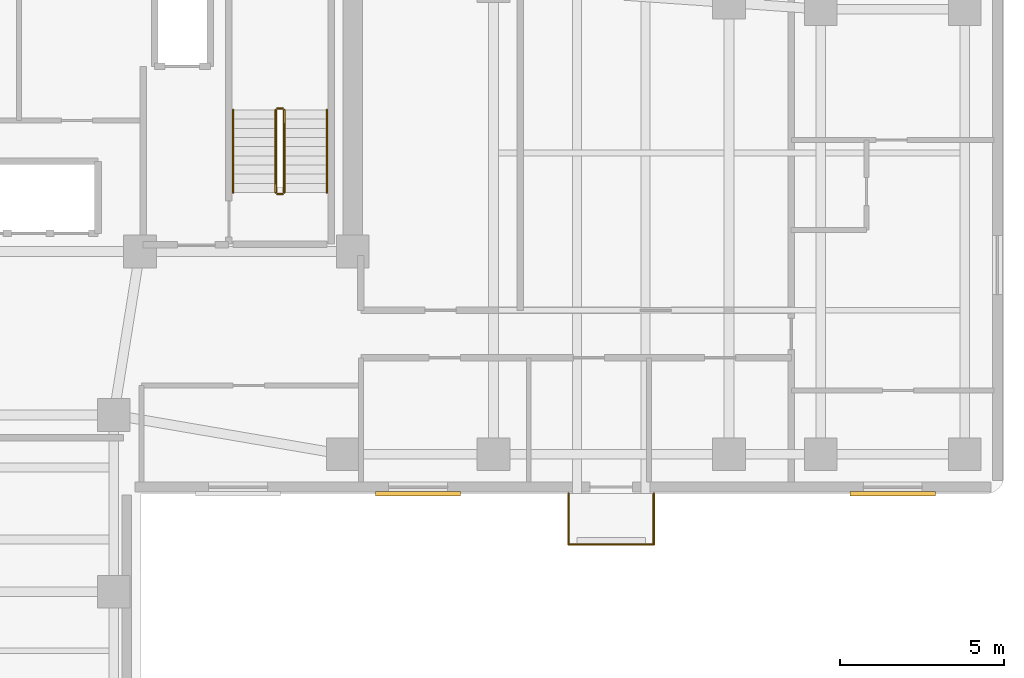
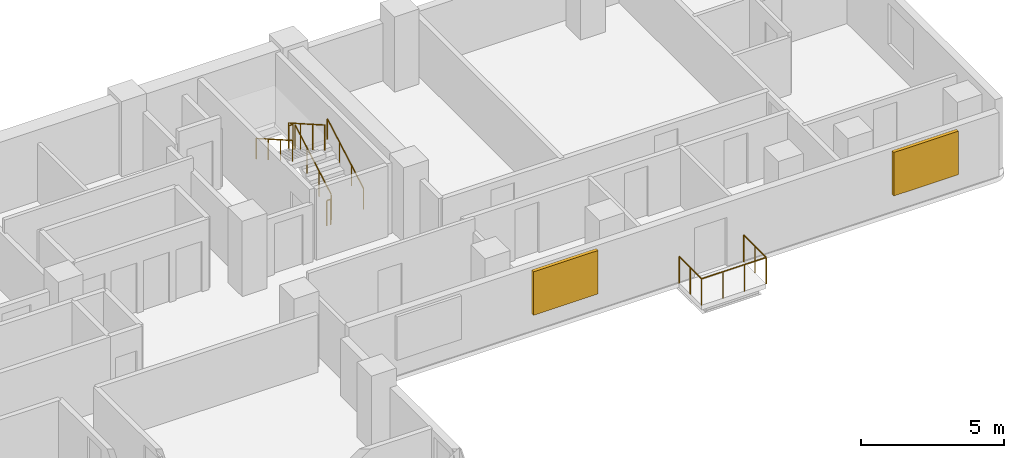
# One storey, part 7 of 7: 9 railings, 2 shading devices.
"""IFC4 building model written with IfcOpenShell, lengths in metres."""

from ifc_helpers import new_model, si_unit, direction, frame, origin, origin_2d, place, context, subcontext, project, spatial, rectangle, circle, extrude, material, layer, layer_set, type_object, element, save


model = new_model("IFC4")

# Units and contexts
model_context = context("Model", 3, precision=1e-05, world=origin(), true_north=direction((0.0, 1.0)))
body_context = subcontext(model_context, "Body", "Model", "MODEL_VIEW")
ifc_project = project(units=[si_unit("LENGTHUNIT", "METRE"), si_unit("AREAUNIT", "SQUARE_METRE"), si_unit("VOLUMEUNIT", "CUBIC_METRE"), si_unit("PLANEANGLEUNIT", "RADIAN"), si_unit("MASSUNIT", "GRAM", prefix="KILO")], contexts=[model_context])

# Site, building, storey
site_placement = place(None, origin())
site = spatial("IfcSite", under=ifc_project, at=site_placement, CompositionType="ELEMENT")
building_placement = place(site_placement, origin())
building = spatial("IfcBuilding", under=site, at=building_placement, Name="Kuzgunbayir Cultural Tower", CompositionType="ELEMENT")
storey_placement = place(building_placement, frame((0.0, 0.0, 129.800048828125)))
storey = spatial("IfcBuildingStorey", under=building, at=storey_placement, Name="L37", CompositionType="ELEMENT", Elevation=129.800048828125)

# Railings
ifc_material_1 = material(Name="Laminated Glass and Stainless Steel", Category="steel")
ifc_layer_1 = layer(ifc_material_1, 0.080078125)
ifc_layer_set_1 = layer_set([ifc_layer_1], Name="Laminated Glass and Stainless Steel")
railing_type_1 = type_object("IfcRailingType", Name="RLG-BAL-115", PredefinedType="BALUSTRADE", material=ifc_layer_set_1)
railing_1_placement = place(storey_placement, frame((33.5, 26.39990234375, 0.0)))
element("IfcRailing", 1, at=railing_1_placement, inside=storey, type_object=railing_type_1, Name="L37 Balcony Guard BAL-L37-WB2 Segment 1", PredefinedType="BALUSTRADE", context=body_context, shape_type="SweptSolid", body=[
    extrude(circle(Radius=0.02392578125, at=origin_2d()), frame((0.0, 0.0, 1.1259765625), z_axis=(0.0, -1.0, 0.0), x_axis=(1.0, 0.0, 0.0)), (0.0, 0.0, 1.0), 1.559814453125),
    extrude(circle(Radius=0.02099609375, at=origin_2d()), origin(), (0.0, 0.0, 1.0), 1.101806640625),
    extrude(circle(Radius=0.02099609375, at=origin_2d()), frame((0.0, -0.77978515625, 0.0)), (0.0, 0.0, 1.0), 1.101806640625),
    extrude(circle(Radius=0.02099609375, at=origin_2d()), frame((0.0, -1.559814453125, 0.0)), (0.0, 0.0, 1.0), 1.101806640625),
])
railing_2_placement = place(storey_placement, frame((33.5, 24.840087890625, 0.0)))
element("IfcRailing", 2, at=railing_2_placement, inside=storey, type_object=railing_type_1, Name="L37 Balcony Guard BAL-L37-WB2 Segment 2", PredefinedType="BALUSTRADE", context=body_context, shape_type="SweptSolid", body=[
    extrude(circle(Radius=0.02392578125, at=origin_2d()), frame((0.0, 0.0, 1.1259765625), z_axis=(1.0, 0.0, 0.0), x_axis=(0.0, 1.0, 0.0)), (0.0, 0.0, 1.0), 2.60009765625),
    extrude(circle(Radius=0.02099609375, at=origin_2d()), origin(), (0.0, 0.0, 1.0), 1.101806640625),
    extrude(circle(Radius=0.02099609375, at=origin_2d()), frame((0.86669921875, 0.0, 0.0)), (0.0, 0.0, 1.0), 1.101806640625),
    extrude(circle(Radius=0.02099609375, at=origin_2d()), frame((1.7333984375, 0.0, 0.0)), (0.0, 0.0, 1.0), 1.101806640625),
    extrude(circle(Radius=0.02099609375, at=origin_2d()), frame((2.60009765625, 0.0, 0.0)), (0.0, 0.0, 1.0), 1.101806640625),
])
railing_3_placement = place(storey_placement, frame((36.10009765625, 24.840087890625, 0.0)))
element("IfcRailing", 3, at=railing_3_placement, inside=storey, type_object=railing_type_1, Name="L37 Balcony Guard BAL-L37-WB2 Segment 3", PredefinedType="BALUSTRADE", context=body_context, shape_type="SweptSolid", body=[
    extrude(circle(Radius=0.02392578125, at=origin_2d()), frame((0.0, 0.0, 1.1259765625), z_axis=(0.0, 1.0, 0.0), x_axis=(-1.0, 0.0, 0.0)), (0.0, 0.0, 1.0), 1.559814453125),
    extrude(circle(Radius=0.02099609375, at=origin_2d()), origin(), (0.0, 0.0, 1.0), 1.101806640625),
    extrude(circle(Radius=0.02099609375, at=origin_2d()), frame((0.0, 0.77978515625, 0.0)), (0.0, 0.0, 1.0), 1.101806640625),
    extrude(circle(Radius=0.02099609375, at=origin_2d()), frame((0.0, 1.559814453125, 0.0)), (0.0, 0.0, 1.0), 1.101806640625),
])
ifc_material_2 = material(Name="Brushed Stainless Steel", Category="steel")
ifc_layer_2 = layer(ifc_material_2, 0.050048828125)
ifc_layer_set_2 = layer_set([ifc_layer_2], Name="Brushed Stainless Steel")
railing_type_2 = type_object("IfcRailingType", Name="RLG-STAIR-HANDRAIL", PredefinedType="HANDRAIL", material=ifc_layer_set_2)
railing_4_placement = place(storey_placement, frame((26.110107421875, 35.60009765625, 0.159912109375)))
element("IfcRailing", 4, at=railing_4_placement, inside=storey, type_object=railing_type_2, Name="L37 ST-2 stair handrail 1", PredefinedType="HANDRAIL", context=body_context, shape_type="SweptSolid", body=[
    extrude(circle(Radius=0.02392578125, at=origin_2d()), frame((0.0, 0.0, 0.8759765625), z_axis=(0.0, 0.868253494771, 0.496120820787), x_axis=(-1.0, 0.0, 0.0)), (0.0, 0.0, 1.0), 2.90234375),
    extrude(circle(Radius=0.02099609375, at=origin_2d()), origin(), (0.0, 0.0, 1.0), 0.851806640625),
    extrude(circle(Radius=0.02099609375, at=origin_2d()), frame((0.0, 0.840087890625, 0.47998046875)), (0.0, 0.0, 1.0), 0.851806640625),
    extrude(circle(Radius=0.02099609375, at=origin_2d()), frame((0.0, 1.679931640625, 0.9599609375)), (0.0, 0.0, 1.0), 0.851806640625),
    extrude(circle(Radius=0.02099609375, at=origin_2d()), frame((0.0, 2.52001953125, 1.43994140625)), (0.0, 0.0, 1.0), 0.851806640625),
])
railing_5_placement = place(storey_placement, frame((23.25, 38.1201171875, 1.760009765625)))
element("IfcRailing", 5, at=railing_5_placement, inside=storey, type_object=railing_type_2, Name="L37 ST-2 stair handrail 2", PredefinedType="HANDRAIL", context=body_context, shape_type="SweptSolid", body=[
    extrude(circle(Radius=0.02392578125, at=origin_2d()), frame((0.0, 0.0, 0.8759765625), z_axis=(0.0, -0.868253494771, 0.496120820787), x_axis=(1.0, 0.0, 0.0)), (0.0, 0.0, 1.0), 2.90234375),
    extrude(circle(Radius=0.02099609375, at=origin_2d()), origin(), (0.0, 0.0, 1.0), 0.851806640625),
    extrude(circle(Radius=0.02099609375, at=origin_2d()), frame((0.0, -0.840087890625, 0.47998046875)), (0.0, 0.0, 1.0), 0.851806640625),
    extrude(circle(Radius=0.02099609375, at=origin_2d()), frame((0.0, -1.679931640625, 0.9599609375)), (0.0, 0.0, 1.0), 0.851806640625),
    extrude(circle(Radius=0.02099609375, at=origin_2d()), frame((0.0, -2.52001953125, 1.43994140625)), (0.0, 0.0, 1.0), 0.851806640625),
])
ifc_material_3 = material(Name="Painted Steel Balustrade", Category="steel")
ifc_layer_3 = layer(ifc_material_3, 0.06005859375)
ifc_layer_set_3 = layer_set([ifc_layer_3], Name="Painted Steel Balustrade")
railing_type_3 = type_object("IfcRailingType", Name="RLG-WELL-GUARD", PredefinedType="GUARDRAIL", material=ifc_layer_set_3)
railing_6_placement = place(storey_placement, frame((24.81005859375, 35.60009765625, 0.159912109375)))
element("IfcRailing", 6, at=railing_6_placement, inside=storey, type_object=railing_type_3, Name="L37 ST-2 stair guard 1", PredefinedType="GUARDRAIL", context=body_context, shape_type="SweptSolid", body=[
    extrude(circle(Radius=0.02392578125, at=origin_2d()), frame((0.0, 0.0, 1.076171875), z_axis=(0.0, 0.868253494771, 0.496120820787), x_axis=(-1.0, 0.0, 0.0)), (0.0, 0.0, 1.0), 2.90234375),
    extrude(circle(Radius=0.02099609375, at=origin_2d()), origin(), (0.0, 0.0, 1.0), 1.052001953125),
    extrude(circle(Radius=0.02099609375, at=origin_2d()), frame((0.0, 0.840087890625, 0.47998046875)), (0.0, 0.0, 1.0), 1.052001953125),
    extrude(circle(Radius=0.02099609375, at=origin_2d()), frame((0.0, 1.679931640625, 0.9599609375)), (0.0, 0.0, 1.0), 1.052001953125),
    extrude(circle(Radius=0.02099609375, at=origin_2d()), frame((0.0, 2.52001953125, 1.43994140625)), (0.0, 0.0, 1.0), 1.052001953125),
])
railing_7_placement = place(storey_placement, frame((24.760009765625, 38.169921875, 1.599853515625)))
element("IfcRailing", 7, at=railing_7_placement, inside=storey, type_object=railing_type_3, Name="L37 ST-2 stair guard 2", PredefinedType="GUARDRAIL", context=body_context, shape_type="SweptSolid", body=[
    extrude(circle(Radius=0.02392578125, at=origin_2d()), frame((0.0, 0.0, 1.076171875), z_axis=(-1.0, 0.0, 0.0), x_axis=(0.0, -1.0, 0.0)), (0.0, 0.0, 1.0), 0.159912109375),
    extrude(circle(Radius=0.02099609375, at=origin_2d()), origin(), (0.0, 0.0, 1.0), 1.052001953125),
    extrude(circle(Radius=0.02099609375, at=origin_2d()), frame((-0.159912109375, 0.0, 0.0)), (0.0, 0.0, 1.0), 1.052001953125),
])
railing_8_placement = place(storey_placement, frame((24.550048828125, 38.1201171875, 1.760009765625)))
element("IfcRailing", 8, at=railing_8_placement, inside=storey, type_object=railing_type_3, Name="L37 ST-2 stair guard 3", PredefinedType="GUARDRAIL", context=body_context, shape_type="SweptSolid", body=[
    extrude(circle(Radius=0.02392578125, at=origin_2d()), frame((0.0, 0.0, 1.076171875), z_axis=(0.0, -0.868253494771, 0.496120820787), x_axis=(1.0, 0.0, 0.0)), (0.0, 0.0, 1.0), 2.90234375),
    extrude(circle(Radius=0.02099609375, at=origin_2d()), origin(), (0.0, 0.0, 1.0), 1.052001953125),
    extrude(circle(Radius=0.02099609375, at=origin_2d()), frame((0.0, -0.840087890625, 0.47998046875)), (0.0, 0.0, 1.0), 1.052001953125),
    extrude(circle(Radius=0.02099609375, at=origin_2d()), frame((0.0, -1.679931640625, 0.9599609375)), (0.0, 0.0, 1.0), 1.052001953125),
    extrude(circle(Radius=0.02099609375, at=origin_2d()), frame((0.0, -2.52001953125, 1.43994140625)), (0.0, 0.0, 1.0), 1.052001953125),
])
railing_9_placement = place(storey_placement, frame((24.760009765625, 35.550048828125, 0.0)))
element("IfcRailing", 9, at=railing_9_placement, inside=storey, type_object=railing_type_3, Name="L37 ST-2 stair guard 4", PredefinedType="GUARDRAIL", context=body_context, shape_type="SweptSolid", body=[
    extrude(circle(Radius=0.02392578125, at=origin_2d()), frame((0.0, 0.0, 1.076171875), z_axis=(-1.0, 0.0, 0.0), x_axis=(0.0, -1.0, 0.0)), (0.0, 0.0, 1.0), 0.159912109375),
    extrude(circle(Radius=0.02099609375, at=origin_2d()), origin(), (0.0, 0.0, 1.0), 1.052001953125),
    extrude(circle(Radius=0.02099609375, at=origin_2d()), frame((-0.159912109375, 0.0, 0.0)), (0.0, 0.0, 1.0), 1.052001953125),
])

# Shading devices
ifc_material_4 = material(Name="Perforated Bronze-Anodised Aluminium", Category="aluminium")
shading_device_type = type_object("IfcShadingDeviceType", Name="SHD-SOLAR-BRONZE", PredefinedType="JALOUSIE", material=ifc_material_4)
for number, where, z_axis, x_axis, name in (
    (10, (28.89990234375, 26.39990234375, 0.73486328125), (0.0, 0.0, 1.0), (1.0, 0.0, 0.0), "L37 Solar Screen WBS11"),
    (11, (43.39990234375, 26.39990234375, 0.73486328125), (0.0, 0.0, 1.0), (1.0, 0.0, 0.0), "L37 Solar Screen WBS12"),
):
    element("IfcShadingDevice", number, at=place(storey_placement, frame(where, z_axis=z_axis, x_axis=x_axis)), inside=storey, type_object=shading_device_type, Name=name, PredefinedType="JALOUSIE", context=body_context, shape_type="SweptSolid", body=[
        extrude(rectangle(XDim=2.60009765625, YDim=0.139892578125, at=origin_2d()), origin(), (0.0, 0.0, 1.0), 1.85009765625),
    ])

save(model, "model.ifc")
